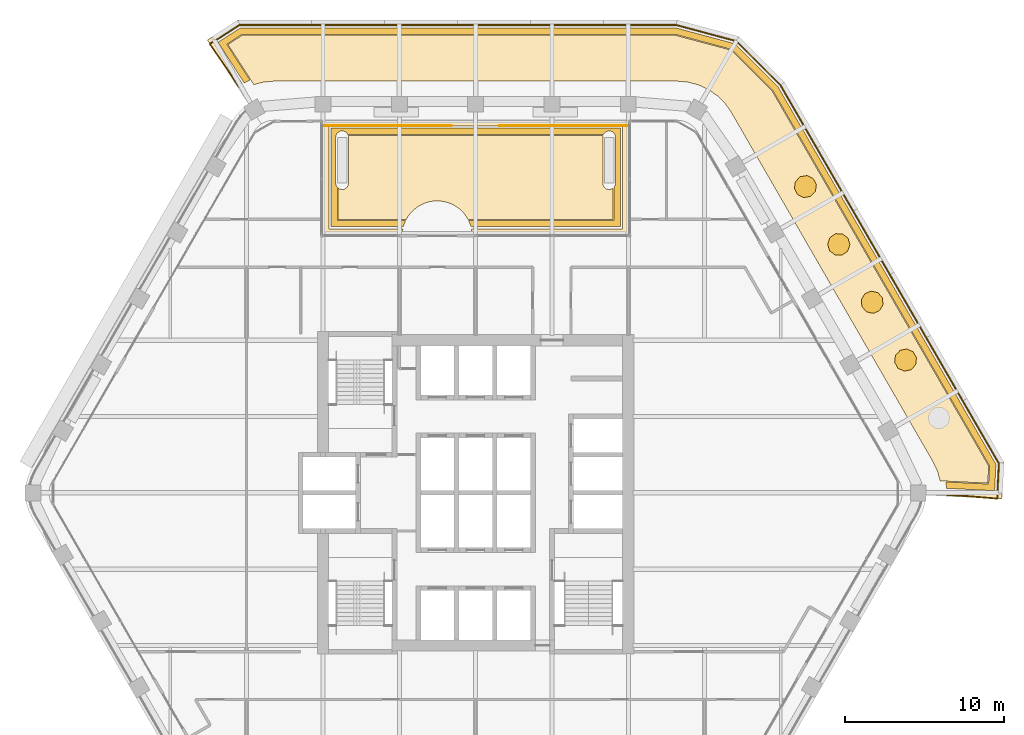
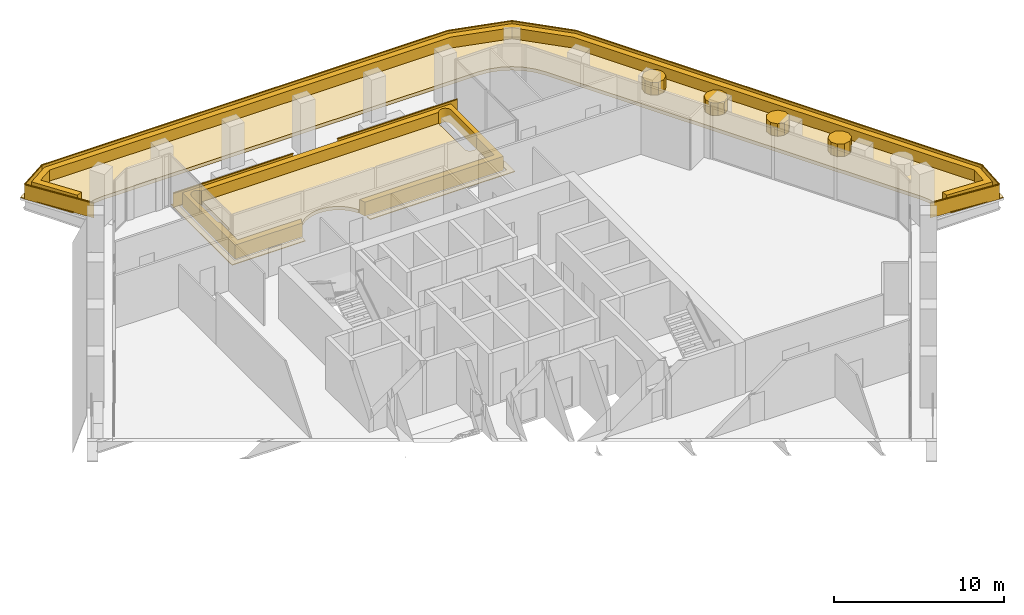
# One storey, part 17 of 17: 10 coverings, 2 railings.
"""IFC4 building model written with IfcOpenShell, lengths in metres."""

import ifcopenshell
import ifcopenshell.guid

model = None  # the IFC model being written
_history = None  # IfcOwnerHistory: only IFC2X3 demands one
_inside = {}  # id of a spatial element -> (the spatial element, [elements in it])
_under = {}  # id of a project, library or spatial element -> (it, [spatial elements below it])
_declared = {}  # id of a project -> (the project, [libraries it declares])
_typed = {}  # id of a type object -> (the type object, [elements of that type])
_made_of = {}  # id of a material, layer set ... -> (it, [elements and type objects made of it])


def new_model(schema):
    """Start an empty IFC model of exactly this schema.

    Asked for "IFC4X3", IfcOpenShell would pick the latest addendum, in which some entities
    have other attributes; the version numbers below select the first issue.
    IFC2X3 requires an IfcOwnerHistory on every rooted entity: one is made here for all.
    """
    global model, _history
    if schema == "IFC4X3":
        model = ifcopenshell.file(schema_version=(4, 3, 0, 0))
    else:
        model = ifcopenshell.file(schema=schema)
    _inside.clear()
    _under.clear()
    _declared.clear()
    _typed.clear()
    _made_of.clear()
    _history = None
    if model.schema == "IFC2X3":
        org = make("IfcOrganization", Name="unknown")
        user = make(
            "IfcPersonAndOrganization",
            ThePerson=make("IfcPerson", FamilyName="unknown"),
            TheOrganization=org,
        )
        app = make(
            "IfcApplication",
            ApplicationDeveloper=org,
            Version="unknown",
            ApplicationFullName="unknown",
            ApplicationIdentifier="unknown",
        )
        _history = make(
            "IfcOwnerHistory",
            OwningUser=user,
            OwningApplication=app,
            ChangeAction="ADDED",
            CreationDate=0,
        )
    return model


def make(cls, **values):
    """One entity of the class cls with the attributes given. An attribute that is None is left unset."""
    return model.create_entity(
        cls, **{name: value for name, value in values.items() if value is not None}
    )


def rooted(cls, **values):
    """An entity with a GlobalId (a new one), such as an element, a storey or a relation."""
    return make(cls, GlobalId=ifcopenshell.guid.new(), OwnerHistory=_history, **values)


def si_unit(unit_type, name, prefix=None):
    """IfcSIUnit, for example si_unit("LENGTHUNIT", "METRE", prefix="MILLI")."""
    return make("IfcSIUnit", UnitType=unit_type, Prefix=prefix, Name=name)


def assignment(units):
    """IfcUnitAssignment: the units of a project."""
    return None if units is None else make("IfcUnitAssignment", Units=units)


def point(xyz):
    """IfcCartesianPoint."""
    return None if xyz is None else make("IfcCartesianPoint", Coordinates=xyz)


def direction(xyz):
    """IfcDirection."""
    return None if xyz is None else make("IfcDirection", DirectionRatios=xyz)


def frame(location, z_axis=None, x_axis=None):
    """IfcAxis2Placement3D, a coordinate frame: its origin and axes. An axis left out is left unset."""
    return make(
        "IfcAxis2Placement3D",
        Location=point(location),
        Axis=direction(z_axis),
        RefDirection=direction(x_axis),
    )


def frame_2d(location, x_axis=None):
    """IfcAxis2Placement2D, a coordinate frame in the plane: its origin and x axis."""
    return make(
        "IfcAxis2Placement2D", Location=point(location), RefDirection=direction(x_axis)
    )


def origin():
    """The frame at (0, 0, 0) with its axes left unset."""
    return frame((0.0, 0.0, 0.0))


def origin_2d():
    """The frame at (0, 0) in the plane with its x axis left unset."""
    return frame_2d((0.0, 0.0))


def place(relative_to, where):
    """IfcLocalPlacement: puts the frame where relative to a parent placement (None: the world)."""
    return make(
        "IfcLocalPlacement", PlacementRelTo=relative_to, RelativePlacement=where
    )


def context(
    kind, dimensions, precision=None, world=None, true_north=None, identifier=None
):
    """IfcGeometricRepresentationContext, for example the 3D "Model" context."""
    return make(
        "IfcGeometricRepresentationContext",
        ContextIdentifier=identifier,
        ContextType=kind,
        CoordinateSpaceDimension=dimensions,
        Precision=precision,
        WorldCoordinateSystem=world,
        TrueNorth=true_north,
    )


def subcontext(parent, identifier, kind, view, scale=None):
    """IfcGeometricRepresentationSubContext, for example "Body" below "Model"."""
    return make(
        "IfcGeometricRepresentationSubContext",
        ContextIdentifier=identifier,
        ContextType=kind,
        ParentContext=parent,
        TargetScale=scale,
        TargetView=view,
    )


def project(units=None, contexts=None):
    """IfcProject with its units and contexts."""
    return rooted(
        "IfcProject",
        Name="project",
        RepresentationContexts=contexts,
        UnitsInContext=assignment(units),
    )


def spatial(cls, under=None, at=None, **own):
    """A site, building, storey or space (cls), placed at a placement, below another one or the project."""
    s = rooted(cls, ObjectPlacement=at, **own)
    if under is not None:
        _under.setdefault(under.id(), (under, []))[1].append(s)
    return s


def polyline(points):
    """IfcPolyline through the points."""
    return make("IfcPolyline", Points=[point(p) for p in points])


def profile(cls, at=None, kind="AREA", **sizes):
    """A parametric profile (cls). Its sizes go by their IFC names, for example OverallWidth=200.0."""
    return make(cls, ProfileType=kind, Position=at, **sizes)


def rectangle(**sizes):
    """IfcRectangleProfileDef."""
    return profile("IfcRectangleProfileDef", **sizes)


def outline(outer, holes=None, kind="AREA"):
    """IfcArbitraryClosedProfileDef: a profile drawn as a closed curve; with holes, ...WithVoids."""
    if holes is None:
        return make("IfcArbitraryClosedProfileDef", ProfileType=kind, OuterCurve=outer)
    return make(
        "IfcArbitraryProfileDefWithVoids",
        ProfileType=kind,
        OuterCurve=outer,
        InnerCurves=holes,
    )


def extrude(swept, where, along, depth):
    """IfcExtrudedAreaSolid: the profile swept, set in the frame where, extruded along a direction by depth."""
    return make(
        "IfcExtrudedAreaSolid",
        SweptArea=swept,
        Position=where,
        ExtrudedDirection=direction(along),
        Depth=depth,
    )


def shape(context_of_items, identifier, shape_type, items):
    """IfcShapeRepresentation: the items that make up one representation, for example the "Body"."""
    return make(
        "IfcShapeRepresentation",
        ContextOfItems=context_of_items,
        RepresentationIdentifier=identifier,
        RepresentationType=shape_type,
        Items=items,
    )


def material(Name=None, Category=None):
    """IfcMaterial."""
    return make("IfcMaterial", Name=Name, Category=Category)


def layer(
    of_material, thickness, ventilated=None, Name=None, Category=None, Priority=None
):
    """IfcMaterialLayer: one layer of a wall or slab, of a material (None: an air gap)."""
    return make(
        "IfcMaterialLayer",
        Material=of_material,
        LayerThickness=thickness,
        IsVentilated=ventilated,
        Name=Name,
        Category=Category,
        Priority=Priority,
    )


def layer_set(layers, Name=None):
    """IfcMaterialLayerSet."""
    return make("IfcMaterialLayerSet", MaterialLayers=layers, LayerSetName=Name)


def made_of(thing, what):
    """Note that an element or type object is made of a material, layer set ...; save() writes the relation."""
    if what is not None:
        _made_of.setdefault(what.id(), (what, []))[1].append(thing)
    return thing


def type_object(cls, material=None, **own):
    """A type object (cls), such as IfcWallType, which elements share."""
    return made_of(rooted(cls, **own), material)


def element(
    cls,
    number,
    at=None,
    inside=None,
    cuts=None,
    type_object=None,
    material=None,
    context=None,
    identifier="Body",
    shape_type=None,
    held_by="IfcProductDefinitionShape",
    body=None,
    shapes=None,
    **own,
):
    """One element of the class cls, such as IfcWall. Its Tag is "e" and its number.

    at: its placement. inside: the storey or other place that contains it. cuts: it is an
    opening in that element (IfcRelVoidsElement). A single representation is given by context,
    identifier, shape_type and body (its items); several are given by shapes. held_by: the class
    of the entity that holds the representations. save() writes the other relations.
    """
    e = rooted(cls, Tag="e%d" % number, ObjectPlacement=at, **own)
    if body is not None:
        shapes = [shape(context, identifier, shape_type, body)]
    if shapes is not None:
        e.Representation = make(held_by, Representations=shapes)
    if inside is not None:
        _inside.setdefault(inside.id(), (inside, []))[1].append(e)
    if cuts is not None:
        rooted(
            "IfcRelVoidsElement", RelatingBuildingElement=cuts, RelatedOpeningElement=e
        )
    if type_object is not None:
        _typed.setdefault(type_object.id(), (type_object, []))[1].append(e)
    return made_of(e, material)


def aggregate(whole, parts):
    """IfcRelAggregates: a whole, such as a stair, and the parts it consists of."""
    return rooted("IfcRelAggregates", RelatingObject=whole, RelatedObjects=parts)


def save(model, path):
    """Write the relations noted so far, then the file.

    IfcRelAggregates (storeys below a building ...), IfcRelContainedInSpatialStructure (elements
    in a storey), IfcRelDefinesByType, IfcRelAssociatesMaterial and IfcRelDeclares: one each for
    every whole, place, type object, material and project.
    """
    for whole, parts in _under.values():
        aggregate(whole, parts)
    for where, things in _inside.values():
        rooted(
            "IfcRelContainedInSpatialStructure",
            RelatedElements=things,
            RelatingStructure=where,
        )
    for kind, things in _typed.values():
        rooted("IfcRelDefinesByType", RelatedObjects=things, RelatingType=kind)
    for what, things in _made_of.values():
        rooted("IfcRelAssociatesMaterial", RelatedObjects=things, RelatingMaterial=what)
    for by, libraries in _declared.values():
        rooted("IfcRelDeclares", RelatingContext=by, RelatedDefinitions=libraries)
    model.write(path)


model = new_model("IFC4")

# Units and contexts
model_context = context("Model", 3, precision=1e-05, world=origin(), true_north=direction((0.0, 1.0)))
body_context = subcontext(model_context, "Body", "Model", "MODEL_VIEW")
ifc_project = project(units=[si_unit("LENGTHUNIT", "METRE"), si_unit("AREAUNIT", "SQUARE_METRE"), si_unit("VOLUMEUNIT", "CUBIC_METRE"), si_unit("PLANEANGLEUNIT", "RADIAN"), si_unit("MASSUNIT", "GRAM", prefix="KILO")], contexts=[model_context])

# Site, building, storey
site_placement = place(None, origin())
site = spatial("IfcSite", under=ifc_project, at=site_placement, CompositionType="ELEMENT")
building_placement = place(site_placement, origin())
building = spatial("IfcBuilding", under=site, at=building_placement, Name="Kolab Exchange Tower", CompositionType="ELEMENT")
storey_placement = place(building_placement, frame((0.0, 0.0, 166.10009765625)))
storey = spatial("IfcBuildingStorey", under=building, at=storey_placement, Name="L34", CompositionType="ELEMENT", Elevation=166.10009765625)

# Railings
ifc_material_1 = material(Name="Steel S235", Category="steel")
railing_type = type_object("IfcRailingType", Name="GUARD 1100 GLASS BALUSTRADE AND STEEL TOP RAIL", PredefinedType="GUARDRAIL", material=ifc_material_1)
railing_1_placement = place(storey_placement, frame((-14.16796875, 24.53955078125, 0.0)))
element("IfcRailing", 1, at=railing_1_placement, inside=storey, type_object=railing_type, Name="Terrace guard", PredefinedType="GUARDRAIL", context=body_context, shape_type="SweptSolid", body=[
    extrude(rectangle(XDim=0.05, YDim=0.05, at=origin_2d()), frame((0.0, 0.0, 1.0751953125), z_axis=(-0.570324587803, 0.821419420605, 0.0), x_axis=(-0.821419420605, -0.570324587803, 0.0)), (0.0, 0.0, 1.0), 4.496826171875),
    extrude(rectangle(XDim=0.012, YDim=1.05009765625, at=frame_2d((0.0, 0.525146484375))), frame((0.0, 0.0, 0.0), z_axis=(-0.570324587803, 0.821419420605, 0.0), x_axis=(-0.821419420605, -0.570324587803, 0.0)), (0.0, 0.0, 1.0), 4.496826171875),
    extrude(rectangle(XDim=0.05, YDim=0.05, at=origin_2d()), frame((-2.564697265625, 3.69384765625, 1.0751953125), z_axis=(0.839993562867, 0.542596364108, 0.0), x_axis=(-0.542596364108, 0.839993562867, 0.0)), (0.0, 0.0, 1.0), 2.226318359375),
    extrude(rectangle(XDim=0.012, YDim=1.05009765625, at=frame_2d((0.0, 0.525146484375))), frame((-2.564697265625, 3.69384765625, 0.0), z_axis=(0.839993562867, 0.542596364108, 0.0), x_axis=(-0.542596364108, 0.839993562867, 0.0)), (0.0, 0.0, 1.0), 2.226318359375),
    extrude(rectangle(XDim=0.05, YDim=0.05, at=origin_2d()), frame((-0.694580078125, 4.90185546875, 1.0751953125), z_axis=(1.0, 0.0, 0.0), x_axis=(0.0, 1.0, 0.0)), (0.0, 0.0, 1.0), 27.490966796875),
    extrude(rectangle(XDim=0.012, YDim=1.05009765625, at=frame_2d((0.0, 0.525146484375))), frame((-0.694580078125, 4.90185546875, 0.0), z_axis=(1.0, 0.0, 0.0), x_axis=(0.0, 1.0, 0.0)), (0.0, 0.0, 1.0), 27.490966796875),
    extrude(rectangle(XDim=0.05, YDim=0.05, at=origin_2d()), frame((26.79638671875, 4.90185546875, 1.0751953125), z_axis=(0.965929136584, -0.258806690596, 0.0), x_axis=(0.258806690596, 0.965929136584, 0.0)), (0.0, 0.0, 1.0), 3.917724609375),
    extrude(rectangle(XDim=0.012, YDim=1.05009765625, at=frame_2d((0.0, 0.525146484375))), frame((26.79638671875, 4.90185546875, 0.0), z_axis=(0.965929136584, -0.258806690596, 0.0), x_axis=(0.258806690596, 0.965929136584, 0.0)), (0.0, 0.0, 1.0), 3.917724609375),
    extrude(rectangle(XDim=0.05, YDim=0.05, at=origin_2d()), frame((30.58056640625, 3.887939453125, 1.0751953125), z_axis=(0.707106781187, -0.707106781187, 0.0), x_axis=(0.707106781187, 0.707106781187, 0.0)), (0.0, 0.0, 1.0), 3.917724609375),
    extrude(rectangle(XDim=0.012, YDim=1.05009765625, at=frame_2d((0.0, 0.525146484375))), frame((30.58056640625, 3.887939453125, 0.0), z_axis=(0.707106781187, -0.707106781187, 0.0), x_axis=(0.707106781187, 0.707106781187, 0.0)), (0.0, 0.0, 1.0), 3.917724609375),
    extrude(rectangle(XDim=0.05, YDim=0.05, at=origin_2d()), frame((33.350830078125, 1.11767578125, 1.0751953125), z_axis=(0.500003555397, -0.866023351065, 0.0), x_axis=(0.866023351065, 0.500003555397, 0.0)), (0.0, 0.0, 1.0), 27.490966796875),
    extrude(rectangle(XDim=0.012, YDim=1.05009765625, at=frame_2d((0.0, 0.525146484375))), frame((33.350830078125, 1.11767578125, 0.0), z_axis=(0.500003555397, -0.866023351065, 0.0), x_axis=(0.866023351065, 0.500003555397, 0.0)), (0.0, 0.0, 1.0), 27.490966796875),
    extrude(rectangle(XDim=0.05, YDim=0.05, at=origin_2d()), frame((47.096435546875, -22.690185546875, 1.0751953125), z_axis=(-0.050003246507, -0.998749055238, 0.0), x_axis=(0.998749055238, -0.050003246507, 0.0)), (0.0, 0.0, 1.0), 2.226318359375),
    extrude(rectangle(XDim=0.012, YDim=1.05009765625, at=frame_2d((0.0, 0.525146484375))), frame((47.096435546875, -22.690185546875, 0.0), z_axis=(-0.050003246507, -0.998749055238, 0.0), x_axis=(0.998749055238, -0.050003246507, 0.0)), (0.0, 0.0, 1.0), 2.226318359375),
    extrude(rectangle(XDim=0.05, YDim=0.05, at=origin_2d()), frame((46.985107421875, -24.913818359375, 1.0751953125), z_axis=(-0.996530389676, 0.083229696942, 0.0), x_axis=(-0.083229696942, -0.996530389676, 0.0)), (0.0, 0.0, 1.0), 4.496826171875),
    extrude(rectangle(XDim=0.012, YDim=1.05009765625, at=frame_2d((0.0, 0.525146484375))), frame((46.985107421875, -24.913818359375, 0.0), z_axis=(-0.996530389676, 0.083229696942, 0.0), x_axis=(-0.083229696942, -0.996530389676, 0.0)), (0.0, 0.0, 1.0), 4.496826171875),
])
railing_2_placement = place(storey_placement, frame((-9.639892578125, 23.091552734375, 0.0)))
element("IfcRailing", 2, at=railing_2_placement, inside=storey, type_object=railing_type, Name="Terrace guard", PredefinedType="GUARDRAIL", context=body_context, shape_type="SweptSolid", body=[
    extrude(rectangle(XDim=0.05, YDim=0.05, at=origin_2d()), frame((0.0, 0.0, 1.0751953125), z_axis=(1.0, 0.0, 0.0), x_axis=(0.0, 1.0, 0.0)), (0.0, 0.0, 1.0), 8.139892578125),
    extrude(rectangle(XDim=0.012, YDim=1.05009765625, at=frame_2d((0.0, 0.525146484375))), frame((0.0, 0.0, 0.0), z_axis=(1.0, 0.0, 0.0), x_axis=(0.0, 1.0, 0.0)), (0.0, 0.0, 1.0), 8.139892578125),
    extrude(rectangle(XDim=0.05, YDim=0.05, at=origin_2d()), frame((19.27978515625, 0.0, 1.0751953125), z_axis=(-1.0, 0.0, 0.0), x_axis=(0.0, -1.0, 0.0)), (0.0, 0.0, 1.0), 8.139892578125),
    extrude(rectangle(XDim=0.012, YDim=1.05009765625, at=frame_2d((0.0, 0.525146484375))), frame((19.27978515625, 0.0, 0.0), z_axis=(-1.0, 0.0, 0.0), x_axis=(0.0, -1.0, 0.0)), (0.0, 0.0, 1.0), 8.139892578125),
])

# Coverings
ifc_material_2 = material(Name="Dense shrub planting", Category="soil")
ifc_layer_1 = layer(ifc_material_2, 1.39990234375)
ifc_layer_set_1 = layer_set([ifc_layer_1], Name="Dense shrub planting")
covering_type_1 = type_object("IfcCoveringType", Name="PLANTED TRELLIS SCREEN AND SHRUB BED", PredefinedType="USERDEFINED", material=ifc_layer_set_1)
covering_1_placement = place(storey_placement, frame((0.0, 0.0, 0.25)))
element("IfcCovering", 3, at=covering_1_placement, inside=storey, type_object=covering_type_1, Name="Shrub bed", ObjectType="PLANTING", PredefinedType="USERDEFINED", context=body_context, shape_type="SweptSolid", body=[
    extrude(outline(polyline([(27.726318359375, 8.492431640625), (27.513427734375, 8.869140625), (27.119873046875, 9.048828125), (26.69580078125, 8.962890625), (26.4033203125, 8.64404296875), (26.35400390625, 8.21435546875), (26.56689453125, 7.837646484375), (26.96044921875, 7.657958984375), (27.384521484375, 7.743896484375), (27.677001953125, 8.0625), (27.726318359375, 8.492431640625)])), origin(), (0.0, 0.0, 1.0), 0.89990234375),
])
covering_2_placement = place(storey_placement, frame((0.0, 0.0, 0.25)))
element("IfcCovering", 4, at=covering_2_placement, inside=storey, type_object=covering_type_1, Name="Shrub bed", ObjectType="PLANTING", PredefinedType="USERDEFINED", context=body_context, shape_type="SweptSolid", body=[
    extrude(outline(polyline([(25.5849609375, 12.26318359375), (25.301513671875, 12.590087890625), (24.880126953125, 12.68798828125), (24.481689453125, 12.51953125), (24.25830078125, 12.14892578125), (24.29541015625, 11.718017578125), (24.578857421875, 11.39111328125), (25.000244140625, 11.293212890625), (25.398681640625, 11.461669921875), (25.6220703125, 11.83203125), (25.5849609375, 12.26318359375)])), origin(), (0.0, 0.0, 1.0), 0.89990234375),
])
covering_3_placement = place(storey_placement, frame((0.0, 0.0, 0.25)))
element("IfcCovering", 5, at=covering_3_placement, inside=storey, type_object=covering_type_1, Name="Shrub bed", ObjectType="PLANTING", PredefinedType="USERDEFINED", context=body_context, shape_type="SweptSolid", body=[
    extrude(outline(polyline([(23.41796875, 16.02294921875), (23.0751953125, 16.287109375), (22.642822265625, 16.29931640625), (22.28564453125, 16.054931640625), (22.140380859375, 15.6474609375), (22.262451171875, 15.232421875), (22.60498046875, 14.96826171875), (23.03759765625, 14.9560546875), (23.39453125, 15.200439453125), (23.539794921875, 15.60791015625), (23.41796875, 16.02294921875)])), origin(), (0.0, 0.0, 1.0), 0.89990234375),
])
covering_4_placement = place(storey_placement, frame((0.0, 0.0, 0.25)))
element("IfcCovering", 6, at=covering_4_placement, inside=storey, type_object=covering_type_1, Name="Shrub bed", ObjectType="PLANTING", PredefinedType="USERDEFINED", context=body_context, shape_type="SweptSolid", body=[
    extrude(outline(polyline([(21.227783203125, 19.76708984375), (20.839599609375, 19.957763671875), (20.413330078125, 19.884033203125), (20.11181640625, 19.573486328125), (20.050537109375, 19.145263671875), (20.25244140625, 18.7626953125), (20.640869140625, 18.572021484375), (21.067138671875, 18.64599609375), (21.368408203125, 18.956298828125), (21.429931640625, 19.384521484375), (21.227783203125, 19.76708984375)])), origin(), (0.0, 0.0, 1.0), 0.89990234375),
])
ifc_material_3 = material(Name="Planting soil and turf", Category="soil")
ifc_layer_2 = layer(ifc_material_3, 0.25)
ifc_layer_set_2 = layer_set([ifc_layer_2], Name="Planting soil and turf")
covering_type_2 = type_object("IfcCoveringType", Name="PLANTING SOIL AND TURF 250", PredefinedType="USERDEFINED", material=ifc_layer_set_2)
covering_5_placement = place(storey_placement, origin())
element("IfcCovering", 7, at=covering_5_placement, inside=storey, type_object=covering_type_2, Name="Planting soil and turf", ObjectType="PLANTING", PredefinedType="USERDEFINED", context=body_context, shape_type="SweptSolid", body=[
    extrude(outline(polyline([(-8.64990234375, 19.16943359375), (-8.622314453125, 19.14892578125), (-8.588623046875, 19.128662109375), (-8.552978515625, 19.112060546875), (-8.51611328125, 19.098876953125), (-8.47802734375, 19.089111328125), (-8.439208984375, 19.08349609375), (-8.39990234375, 19.08154296875), (-8.36083984375, 19.08349609375), (-8.322021484375, 19.089111328125), (-8.283935546875, 19.098876953125), (-8.246826171875, 19.112060546875), (-8.21142578125, 19.128662109375), (-8.177734375, 19.14892578125), (-8.146240234375, 19.17236328125), (-8.1171875, 19.19873046875), (-8.0908203125, 19.227783203125), (-8.0673828125, 19.25927734375), (-8.047119140625, 19.29296875), (-8.030517578125, 19.328369140625), (-8.017333984375, 19.365478515625), (-8.007568359375, 19.403564453125), (-8.001953125, 19.4423828125), (-8.0, 19.4814453125), (-8.0, 22.361572265625), (-8.001953125, 22.400634765625), (-8.007568359375, 22.439453125), (-8.017333984375, 22.4775390625), (-8.022216796875, 22.491455078125), (8.022216796875, 22.491455078125), (8.017333984375, 22.4775390625), (8.007568359375, 22.439453125), (8.001953125, 22.400634765625), (8.0, 22.361572265625), (8.0, 19.4814453125), (8.001953125, 19.4423828125), (8.007568359375, 19.403564453125), (8.017333984375, 19.365478515625), (8.030517578125, 19.328369140625), (8.047119140625, 19.29296875), (8.0673828125, 19.25927734375), (8.0908203125, 19.227783203125), (8.1171875, 19.19873046875), (8.146240234375, 19.17236328125), (8.177734375, 19.14892578125), (8.21142578125, 19.128662109375), (8.246826171875, 19.112060546875), (8.283935546875, 19.098876953125), (8.322021484375, 19.089111328125), (8.36083984375, 19.08349609375), (8.39990234375, 19.08154296875), (8.439208984375, 19.08349609375), (8.47802734375, 19.089111328125), (8.51611328125, 19.098876953125), (8.552978515625, 19.112060546875), (8.588623046875, 19.128662109375), (8.622314453125, 19.14892578125), (8.64990234375, 19.16943359375), (8.64990234375, 17.191650390625), (-0.476318359375, 17.191650390625), (-0.479736328125, 17.198486328125), (-0.5908203125, 17.3837890625), (-0.719482421875, 17.55712890625), (-0.8642578125, 17.71728515625), (-1.0244140625, 17.862060546875), (-1.19775390625, 17.99072265625), (-1.3828125, 18.101806640625), (-1.578125, 18.194091796875), (-1.781494140625, 18.266845703125), (-1.99072265625, 18.3193359375), (-2.204345703125, 18.350830078125), (-2.419921875, 18.361572265625), (-2.6357421875, 18.350830078125), (-2.84912109375, 18.3193359375), (-3.05859375, 18.266845703125), (-3.261962890625, 18.194091796875), (-3.45703125, 18.101806640625), (-3.642333984375, 17.99072265625), (-3.815673828125, 17.862060546875), (-3.9755859375, 17.71728515625), (-4.12060546875, 17.55712890625), (-4.249267578125, 17.3837890625), (-4.360107421875, 17.198486328125), (-4.363525390625, 17.191650390625), (-8.64990234375, 17.191650390625), (-8.64990234375, 19.16943359375)])), origin(), (0.0, 0.0, 1.0), 0.25),
])
covering_6_placement = place(storey_placement, origin())
element("IfcCovering", 8, at=covering_6_placement, inside=storey, type_object=covering_type_2, Name="Planting soil and turf", ObjectType="PLANTING", PredefinedType="USERDEFINED", context=body_context, shape_type="SweptSolid", body=[
    extrude(outline(polyline([(-15.58203125, 28.202880859375), (-14.6708984375, 28.79150390625), (12.542724609375, 28.79150390625), (16.076171875, 27.8447265625), (18.66259765625, 25.25830078125), (32.269775390625, 1.6904296875), (32.215576171875, 0.60693359375), (29.21044921875, 0.75732421875), (29.051025390625, 1.352294921875), (28.77734375, 1.939208984375), (16.068115234375, 23.952392578125), (15.69677734375, 24.48291015625), (15.209228515625, 24.97021484375), (14.644775390625, 25.365478515625), (14.020263671875, 25.65673828125), (13.3544921875, 25.835205078125), (12.709228515625, 25.8916015625), (-12.709228515625, 25.8916015625), (-13.3544921875, 25.835205078125), (-13.94921875, 25.67578125), (-15.58203125, 28.202880859375)])), origin(), (0.0, 0.0, 1.0), 0.25),
])
ifc_material_4 = material(Name="Limestone coping", Category="masonry")
ifc_layer_3 = layer(ifc_material_4, 0.050048828125)
ifc_layer_set_3 = layer_set([ifc_layer_3], Name="Limestone coping")
covering_type_3 = type_object("IfcCoveringType", Name="TERRACE EDGE BAND LIMESTONE 50", PredefinedType="CLADDING", material=ifc_layer_set_3)
covering_7_placement = place(storey_placement, origin())
element("IfcCovering", 9, at=covering_7_placement, inside=storey, type_object=covering_type_3, Name="Terrace edge band", PredefinedType="CLADDING", context=body_context, shape_type="SweptSolid", body=[
    extrude(outline(polyline([(9.580078125, 23.421630859375), (9.580078125, 16.261474609375), (-0.224853515625, 16.261474609375), (-0.230712890625, 16.377197265625), (-0.26220703125, 16.5908203125), (-0.267578125, 16.611572265625), (9.22998046875, 16.611572265625), (9.22998046875, 23.071533203125), (-9.22998046875, 23.071533203125), (-9.22998046875, 16.611572265625), (-4.572509765625, 16.611572265625), (-4.57763671875, 16.5908203125), (-4.609375, 16.377197265625), (-4.614990234375, 16.261474609375), (-9.580078125, 16.261474609375), (-9.580078125, 23.421630859375), (9.580078125, 23.421630859375)])), origin(), (0.0, 0.0, 1.0), 0.0498046875),
])
covering_8_placement = place(storey_placement, origin())
element("IfcCovering", 10, at=covering_8_placement, inside=storey, type_object=covering_type_3, Name="Terrace edge band", PredefinedType="CLADDING", context=body_context, shape_type="SweptSolid", body=[
    extrude(outline(polyline([(-14.9453125, 29.721435546875), (12.665283203125, 29.721435546875), (16.5576171875, 28.678466796875), (19.406982421875, 25.8291015625), (33.212158203125, 1.917724609375), (33.097900390625, -0.368408203125), (29.623779296875, -0.194580078125), (29.630859375, -0.11328125), (29.635986328125, 0.0), (29.630859375, 0.11328125), (29.627197265625, 0.15576171875), (32.765869140625, -0.001220703125), (32.857421875, 1.832275390625), (19.126708984375, 25.6142578125), (16.37646484375, 28.36474609375), (12.619140625, 29.37158203125), (-14.842041015625, 29.37158203125), (-16.384033203125, 28.37548828125), (-14.6787109375, 25.73583984375), (-14.71728515625, 25.7177734375), (-14.81787109375, 25.66552734375), (-14.91357421875, 25.6044921875), (-14.980224609375, 25.557861328125), (-16.867919921875, 28.4794921875), (-14.9453125, 29.721435546875)])), origin(), (0.0, 0.0, 1.0), 0.0498046875),
])
ifc_material_5 = material(Name="Terrace hedge planting", Category="soil")
ifc_layer_4 = layer(ifc_material_5, 1.0)
ifc_layer_set_4 = layer_set([ifc_layer_4], Name="Terrace hedge planting")
covering_type_4 = type_object("IfcCoveringType", Name="TERRACE HEDGE 1000 X 400", PredefinedType="USERDEFINED", material=ifc_layer_set_4)
covering_9_placement = place(storey_placement, origin())
element("IfcCovering", 11, at=covering_9_placement, inside=storey, type_object=covering_type_4, Name="Terrace hedge", ObjectType="PLANTING", PredefinedType="USERDEFINED", context=body_context, shape_type="SweptSolid", body=[
    extrude(outline(polyline([(9.10009765625, 22.941650390625), (9.10009765625, 16.741455078125), (-0.300048828125, 16.741455078125), (-0.314697265625, 16.800048828125), (-0.387451171875, 17.00341796875), (-0.452880859375, 17.1416015625), (8.699951171875, 17.1416015625), (8.699951171875, 19.217529296875), (8.709228515625, 19.227783203125), (8.732666015625, 19.25927734375), (8.752685546875, 19.29296875), (8.76953125, 19.328369140625), (8.78271484375, 19.365478515625), (8.792236328125, 19.403564453125), (8.798095703125, 19.4423828125), (8.800048828125, 19.4814453125), (8.800048828125, 22.361572265625), (8.798095703125, 22.400634765625), (8.792236328125, 22.439453125), (8.78271484375, 22.4775390625), (8.76953125, 22.5146484375), (8.752685546875, 22.550048828125), (8.732666015625, 22.583740234375), (8.709228515625, 22.615234375), (8.682861328125, 22.644287109375), (8.65380859375, 22.670654296875), (8.622314453125, 22.694091796875), (8.588623046875, 22.71435546875), (8.552978515625, 22.731201171875), (8.51611328125, 22.744384765625), (8.47802734375, 22.75390625), (8.439208984375, 22.759521484375), (8.39990234375, 22.761474609375), (8.36083984375, 22.759521484375), (8.322021484375, 22.75390625), (8.283935546875, 22.744384765625), (8.246826171875, 22.731201171875), (8.21142578125, 22.71435546875), (8.177734375, 22.694091796875), (8.146240234375, 22.670654296875), (8.1171875, 22.644287109375), (8.0908203125, 22.615234375), (8.0673828125, 22.583740234375), (8.047119140625, 22.550048828125), (8.043212890625, 22.54150390625), (-8.043212890625, 22.54150390625), (-8.047119140625, 22.550048828125), (-8.0673828125, 22.583740234375), (-8.0908203125, 22.615234375), (-8.1171875, 22.644287109375), (-8.146240234375, 22.670654296875), (-8.177734375, 22.694091796875), (-8.21142578125, 22.71435546875), (-8.246826171875, 22.731201171875), (-8.283935546875, 22.744384765625), (-8.322021484375, 22.75390625), (-8.36083984375, 22.759521484375), (-8.39990234375, 22.761474609375), (-8.439208984375, 22.759521484375), (-8.47802734375, 22.75390625), (-8.51611328125, 22.744384765625), (-8.552978515625, 22.731201171875), (-8.588623046875, 22.71435546875), (-8.622314453125, 22.694091796875), (-8.65380859375, 22.670654296875), (-8.682861328125, 22.644287109375), (-8.709228515625, 22.615234375), (-8.732666015625, 22.583740234375), (-8.752685546875, 22.550048828125), (-8.76953125, 22.5146484375), (-8.78271484375, 22.4775390625), (-8.792236328125, 22.439453125), (-8.798095703125, 22.400634765625), (-8.800048828125, 22.361572265625), (-8.800048828125, 19.4814453125), (-8.798095703125, 19.4423828125), (-8.792236328125, 19.403564453125), (-8.78271484375, 19.365478515625), (-8.76953125, 19.328369140625), (-8.752685546875, 19.29296875), (-8.732666015625, 19.25927734375), (-8.709228515625, 19.227783203125), (-8.699951171875, 19.217529296875), (-8.699951171875, 17.1416015625), (-4.38720703125, 17.1416015625), (-4.45263671875, 17.00341796875), (-4.525390625, 16.800048828125), (-4.5400390625, 16.741455078125), (-9.10009765625, 16.741455078125), (-9.10009765625, 22.941650390625), (9.10009765625, 22.941650390625)])), origin(), (0.0, 0.0, 1.0), 1.0),
])
covering_10_placement = place(storey_placement, origin())
element("IfcCovering", 12, at=covering_10_placement, inside=storey, type_object=covering_type_4, Name="Terrace hedge", ObjectType="PLANTING", PredefinedType="USERDEFINED", context=body_context, shape_type="SweptSolid", body=[
    extrude(outline(polyline([(-14.8037109375, 29.241455078125), (12.60205078125, 29.241455078125), (16.30908203125, 28.248291015625), (19.022705078125, 25.534423828125), (32.725830078125, 1.80029296875), (32.642333984375, 0.135009765625), (29.61572265625, 0.28662109375), (29.58544921875, 0.63427734375), (29.578125, 0.68896484375), (32.262939453125, 0.554443359375), (32.3203125, 1.70263671875), (18.70263671875, 25.288818359375), (16.10205078125, 27.8896484375), (12.54931640625, 28.841552734375), (-14.685791015625, 28.841552734375), (-15.651123046875, 28.2177734375), (-14.1923828125, 25.9599609375), (-14.243408203125, 25.938720703125), (-14.559814453125, 25.791259765625), (-16.2041015625, 28.336669921875), (-14.8037109375, 29.241455078125)])), origin(), (0.0, 0.0, 1.0), 1.0),
])

save(model, "model.ifc")
